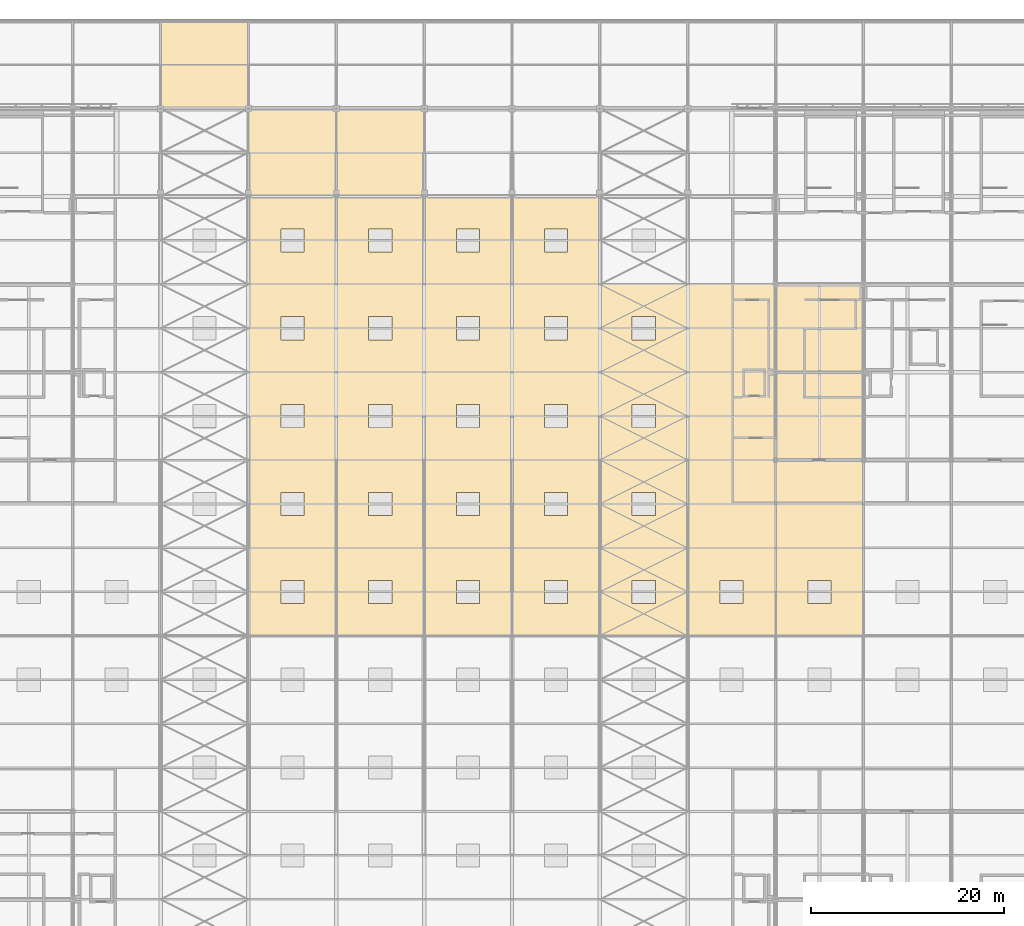
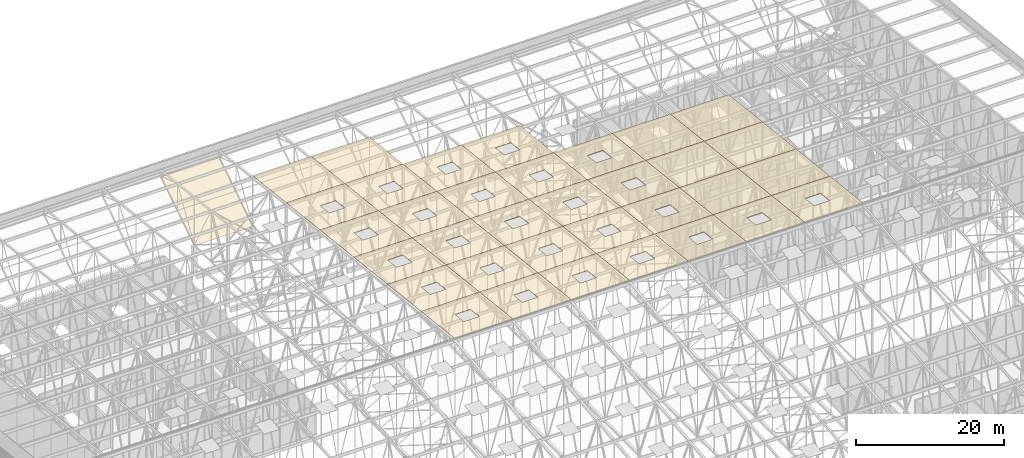
# One storey, part 479 of 500: 35 coverings.
"""IFC4 building model written with IfcOpenShell, lengths in metres."""

from ifc_helpers import new_model, si_unit, direction, frame, origin, place, context, subcontext, project, spatial, polyline, outline, extrude, material, layer, layer_set, type_object, element, save


model = new_model("IFC4")

# Units and contexts
model_context = context("Model", 3, precision=1e-05, world=origin(), true_north=direction((0.0, 1.0)))
body_context = subcontext(model_context, "Body", "Model", "MODEL_VIEW")
ifc_project = project(units=[si_unit("LENGTHUNIT", "METRE"), si_unit("AREAUNIT", "SQUARE_METRE"), si_unit("VOLUMEUNIT", "CUBIC_METRE"), si_unit("PLANEANGLEUNIT", "RADIAN"), si_unit("MASSUNIT", "GRAM", prefix="KILO")], contexts=[model_context])

# Site, building, storey
site_placement = place(None, origin())
site = spatial("IfcSite", under=ifc_project, at=site_placement, CompositionType="ELEMENT")
building_placement = place(site_placement, origin())
building = spatial("IfcBuilding", under=site, at=building_placement, Name="Shirokan Park Arena", CompositionType="ELEMENT")
storey_placement = place(building_placement, frame((0.0, 0.0, 29.1201171875)))
storey = spatial("IfcBuildingStorey", under=building, at=storey_placement, Name="L06", CompositionType="ELEMENT", Elevation=29.1201171875)

# Coverings
ifc_material_1 = material(Name="Bituminous roofing membrane")
ifc_layer_1 = layer(ifc_material_1, 0.010009765625, Name="Bituminous roofing membrane")
ifc_material_2 = material(Name="Mineral wool insulation")
ifc_layer_2 = layer(ifc_material_2, 0.050048828125, Name="Mineral wool insulation")
ifc_layer_set_1 = layer_set([ifc_layer_1, ifc_layer_2], Name="Bituminous roofing membrane + Mineral wool insulation")
covering_type_1 = type_object("IfcCoveringType", Name="Roofing membrane 60", PredefinedType="ROOFING", material=ifc_layer_set_1)
covering_1_placement = place(storey_placement, frame((54.60009765625, 54.60009765625, 19.170654296875), z_axis=(0.0, 0.113552605302, 0.993531985308), x_axis=(1.0, 0.0, 0.0)))
element("IfcCovering", 1, at=covering_1_placement, inside=storey, type_object=covering_type_1, Name="Roofing", PredefinedType="ROOFING", context=body_context, shape_type="SweptSolid", body=[
    extrude(outline(polyline([(0.0, 0.0), (9.099853515625, 0.0), (9.099853515625, 9.159094674549365), (0.0, 9.159094674549365), (0.0, 0.0)]), holes=[polyline([(5.75, 3.371655970585497), (5.75, 5.7874387039638675), (3.349853515625, 5.7874387039638675), (3.349853515625, 3.371655970585497), (5.75, 3.371655970585497)])]), origin(), (0.0, 0.0, -1.0), 0.06005859375),
])
covering_2_placement = place(storey_placement, frame((54.60009765625, 63.699951171875, 18.130615234375), z_axis=(0.0, 0.113549598152, 0.993532328996), x_axis=(1.0, 0.0, 0.0)))
element("IfcCovering", 2, at=covering_2_placement, inside=storey, type_object=covering_type_1, Name="Roofing", PredefinedType="ROOFING", context=body_context, shape_type="SweptSolid", body=[
    extrude(outline(polyline([(0.0, 0.0), (9.099853515625, 0.0), (9.099853515625, 9.15933723611117), (0.0, 9.15933723611117), (0.0, 0.0)]), holes=[polyline([(5.75, 3.371898532319491), (5.75, 5.787410981721818), (3.349853515625, 5.787410981721818), (3.349853515625, 3.371898532319491), (5.75, 3.371898532319491)])]), origin(), (0.0, 0.0, -1.0), 0.06005859375),
])
covering_3_placement = place(storey_placement, frame((54.60009765625, 72.800048828125, 17.090576171875), z_axis=(0.0, 0.113526293343, 0.993534992197), x_axis=(1.0, 0.0, 0.0)))
element("IfcCovering", 3, at=covering_3_placement, inside=storey, type_object=covering_type_1, Name="Roofing", PredefinedType="ROOFING", context=body_context, shape_type="SweptSolid", body=[
    extrude(outline(polyline([(0.0, 0.0), (9.099853515625, 0.0), (9.099853515625, 9.159066954957241), (0.0, 9.159066954957241), (0.0, 0.0)]), holes=[polyline([(5.75, 3.3716559706777867), (5.75, 5.787410984279455), (3.349853515625, 5.787410984279455), (3.349853515625, 3.3716559706777867), (5.75, 3.3716559706777867)])]), origin(), (0.0, 0.0, -1.0), 0.06005859375),
])
for number, where, z_axis, x_axis, name in (
    (4, (54.60009765625, 81.89990234375, 16.05078125), (0.0, 0.113549598152, 0.993532328996), (1.0, 0.0, 0.0), "Roofing"),
    (5, (54.60009765625, 91.0, 15.0107421875), (0.0, 0.113549598152, 0.993532328996), (1.0, 0.0, 0.0), "Roofing"),
):
    element("IfcCovering", number, at=place(storey_placement, frame(where, z_axis=z_axis, x_axis=x_axis)), inside=storey, type_object=covering_type_1, Name=name, PredefinedType="ROOFING", context=body_context, shape_type="SweptSolid", body=[
        extrude(outline(polyline([(0.0, 0.0), (9.099853515625, 0.0), (9.099853515625, 9.15933723611117), (0.0, 9.15933723611117), (0.0, 0.0)]), holes=[polyline([(5.75, 3.3719262543893525), (5.75, 5.787438703791679), (3.349853515625, 5.787438703791679), (3.349853515625, 3.3719262543893525), (5.75, 3.3719262543893525)])]), origin(), (0.0, 0.0, -1.0), 0.06005859375),
    ])
covering_4_placement = place(storey_placement, frame((54.60009765625, 100.10009765625, 13.970703125), z_axis=(0.0, 0.113552605302, 0.993531985308), x_axis=(1.0, 0.0, 0.0)))
element("IfcCovering", 6, at=covering_4_placement, inside=storey, type_object=covering_type_1, Name="Roofing", PredefinedType="ROOFING", context=body_context, shape_type="SweptSolid", body=[
    extrude(outline(polyline([(0.0, 0.0), (9.099853515625, 0.0), (9.099853515625, 9.159094674549365), (0.0, 9.159094674549365), (0.0, 0.0)])), origin(), (0.0, 0.0, -1.0), 0.06005859375),
])
covering_5_placement = place(storey_placement, frame((63.699951171875, 54.60009765625, 19.170654296875), z_axis=(0.0, 0.113552605302, 0.993531985308), x_axis=(1.0, 0.0, 0.0)))
element("IfcCovering", 7, at=covering_5_placement, inside=storey, type_object=covering_type_1, Name="Roofing", PredefinedType="ROOFING", context=body_context, shape_type="SweptSolid", body=[
    extrude(outline(polyline([(0.0, 0.0), (9.10009765625, 0.0), (9.10009765625, 9.159094674549367), (0.0, 9.159094674549367), (0.0, 0.0)]), holes=[polyline([(5.75, 3.3716559705854974), (5.75, 5.787438703963868), (3.35009765625, 5.787438703963868), (3.35009765625, 3.3716559705854974), (5.75, 3.3716559705854974)])]), origin(), (0.0, 0.0, -1.0), 0.06005859375),
])
covering_6_placement = place(storey_placement, frame((63.699951171875, 63.699951171875, 18.130615234375), z_axis=(0.0, 0.113549598152, 0.993532328996), x_axis=(1.0, 0.0, 0.0)))
element("IfcCovering", 8, at=covering_6_placement, inside=storey, type_object=covering_type_1, Name="Roofing", PredefinedType="ROOFING", context=body_context, shape_type="SweptSolid", body=[
    extrude(outline(polyline([(0.0, 0.0), (9.10009765625, 0.0), (9.10009765625, 9.15933723611117), (0.0, 9.15933723611117), (0.0, 0.0)]), holes=[polyline([(5.75, 3.3718985323194914), (5.75, 5.787410981721819), (3.35009765625, 5.787410981721819), (3.35009765625, 3.3718985323194914), (5.75, 3.3718985323194914)])]), origin(), (0.0, 0.0, -1.0), 0.06005859375),
])
covering_7_placement = place(storey_placement, frame((63.699951171875, 72.800048828125, 17.090576171875), z_axis=(0.0, 0.113526293343, 0.993534992197), x_axis=(1.0, 0.0, 0.0)))
element("IfcCovering", 9, at=covering_7_placement, inside=storey, type_object=covering_type_1, Name="Roofing", PredefinedType="ROOFING", context=body_context, shape_type="SweptSolid", body=[
    extrude(outline(polyline([(0.0, 0.0), (9.10009765625, 0.0), (9.10009765625, 9.159066954957241), (0.0, 9.159066954957241), (0.0, 0.0)]), holes=[polyline([(5.75, 3.371655970677786), (5.75, 5.787410984279454), (3.35009765625, 5.787410984279454), (3.35009765625, 3.371655970677786), (5.75, 3.371655970677786)])]), origin(), (0.0, 0.0, -1.0), 0.06005859375),
])
for number, where, z_axis, x_axis, name in (
    (10, (63.699951171875, 81.89990234375, 16.05078125), (0.0, 0.113549598152, 0.993532328996), (1.0, 0.0, 0.0), "Roofing"),
    (11, (63.699951171875, 91.0, 15.0107421875), (0.0, 0.113549598152, 0.993532328996), (1.0, 0.0, 0.0), "Roofing"),
):
    element("IfcCovering", number, at=place(storey_placement, frame(where, z_axis=z_axis, x_axis=x_axis)), inside=storey, type_object=covering_type_1, Name=name, PredefinedType="ROOFING", context=body_context, shape_type="SweptSolid", body=[
        extrude(outline(polyline([(0.0, 0.0), (9.10009765625, 0.0), (9.10009765625, 9.15933723611117), (0.0, 9.15933723611117), (0.0, 0.0)]), holes=[polyline([(5.75, 3.371926254389353), (5.75, 5.78743870379168), (3.35009765625, 5.78743870379168), (3.35009765625, 3.371926254389353), (5.75, 3.371926254389353)])]), origin(), (0.0, 0.0, -1.0), 0.06005859375),
    ])
covering_8_placement = place(storey_placement, frame((63.699951171875, 100.10009765625, 13.970703125), z_axis=(0.0, 0.113552605302, 0.993531985308), x_axis=(1.0, 0.0, 0.0)))
element("IfcCovering", 12, at=covering_8_placement, inside=storey, type_object=covering_type_1, Name="Roofing", PredefinedType="ROOFING", context=body_context, shape_type="SweptSolid", body=[
    extrude(outline(polyline([(0.0, 0.0), (9.10009765625, 0.0), (9.10009765625, 9.159094674549367), (0.0, 9.159094674549367), (0.0, 0.0)])), origin(), (0.0, 0.0, -1.0), 0.06005859375),
])
covering_9_placement = place(storey_placement, frame((72.800048828125, 54.60009765625, 19.170654296875), z_axis=(0.0, 0.113552605302, 0.993531985308), x_axis=(1.0, 0.0, 0.0)))
element("IfcCovering", 13, at=covering_9_placement, inside=storey, type_object=covering_type_1, Name="Roofing", PredefinedType="ROOFING", context=body_context, shape_type="SweptSolid", body=[
    extrude(outline(polyline([(0.0, 0.0), (9.099853515625, 0.0), (9.099853515625, 9.159094674549365), (0.0, 9.159094674549365), (0.0, 0.0)]), holes=[polyline([(5.75, 3.371655970585497), (5.75, 5.7874387039638675), (3.349853515625, 5.7874387039638675), (3.349853515625, 3.371655970585497), (5.75, 3.371655970585497)])]), origin(), (0.0, 0.0, -1.0), 0.06005859375),
])
covering_10_placement = place(storey_placement, frame((72.800048828125, 63.699951171875, 18.130615234375), z_axis=(0.0, 0.113549598152, 0.993532328996), x_axis=(1.0, 0.0, 0.0)))
element("IfcCovering", 14, at=covering_10_placement, inside=storey, type_object=covering_type_1, Name="Roofing", PredefinedType="ROOFING", context=body_context, shape_type="SweptSolid", body=[
    extrude(outline(polyline([(0.0, 0.0), (9.099853515625, 0.0), (9.099853515625, 9.15933723611117), (0.0, 9.15933723611117), (0.0, 0.0)]), holes=[polyline([(5.75, 3.371898532319491), (5.75, 5.787410981721818), (3.349853515625, 5.787410981721818), (3.349853515625, 3.371898532319491), (5.75, 3.371898532319491)])]), origin(), (0.0, 0.0, -1.0), 0.06005859375),
])
covering_11_placement = place(storey_placement, frame((72.800048828125, 72.800048828125, 17.090576171875), z_axis=(0.0, 0.113526293343, 0.993534992197), x_axis=(1.0, 0.0, 0.0)))
element("IfcCovering", 15, at=covering_11_placement, inside=storey, type_object=covering_type_1, Name="Roofing", PredefinedType="ROOFING", context=body_context, shape_type="SweptSolid", body=[
    extrude(outline(polyline([(0.0, 0.0), (9.099853515625, 0.0), (9.099853515625, 9.159066954957241), (0.0, 9.159066954957241), (0.0, 0.0)]), holes=[polyline([(5.75, 3.3716559706777867), (5.75, 5.787410984279455), (3.349853515625, 5.787410984279455), (3.349853515625, 3.3716559706777867), (5.75, 3.3716559706777867)])]), origin(), (0.0, 0.0, -1.0), 0.06005859375),
])
for number, where, z_axis, x_axis, name in (
    (16, (72.800048828125, 81.89990234375, 16.05078125), (0.0, 0.113549598152, 0.993532328996), (1.0, 0.0, 0.0), "Roofing"),
    (17, (72.800048828125, 91.0, 15.0107421875), (0.0, 0.113549598152, 0.993532328996), (1.0, 0.0, 0.0), "Roofing"),
):
    element("IfcCovering", number, at=place(storey_placement, frame(where, z_axis=z_axis, x_axis=x_axis)), inside=storey, type_object=covering_type_1, Name=name, PredefinedType="ROOFING", context=body_context, shape_type="SweptSolid", body=[
        extrude(outline(polyline([(0.0, 0.0), (9.099853515625, 0.0), (9.099853515625, 9.15933723611117), (0.0, 9.15933723611117), (0.0, 0.0)]), holes=[polyline([(5.75, 3.3719262543893525), (5.75, 5.787438703791679), (3.349853515625, 5.787438703791679), (3.349853515625, 3.3719262543893525), (5.75, 3.3719262543893525)])]), origin(), (0.0, 0.0, -1.0), 0.06005859375),
    ])
covering_12_placement = place(storey_placement, frame((81.89990234375, 54.60009765625, 19.170654296875), z_axis=(0.0, 0.113552605302, 0.993531985308), x_axis=(1.0, 0.0, 0.0)))
element("IfcCovering", 18, at=covering_12_placement, inside=storey, type_object=covering_type_1, Name="Roofing", PredefinedType="ROOFING", context=body_context, shape_type="SweptSolid", body=[
    extrude(outline(polyline([(0.0, 0.0), (9.10009765625, 0.0), (9.10009765625, 9.159094674549367), (0.0, 9.159094674549367), (0.0, 0.0)]), holes=[polyline([(5.75, 3.3716559705854974), (5.75, 5.787438703963868), (3.35009765625, 5.787438703963868), (3.35009765625, 3.3716559705854974), (5.75, 3.3716559705854974)])]), origin(), (0.0, 0.0, -1.0), 0.06005859375),
])
covering_13_placement = place(storey_placement, frame((81.89990234375, 63.699951171875, 18.130615234375), z_axis=(0.0, 0.113549598152, 0.993532328996), x_axis=(1.0, 0.0, 0.0)))
element("IfcCovering", 19, at=covering_13_placement, inside=storey, type_object=covering_type_1, Name="Roofing", PredefinedType="ROOFING", context=body_context, shape_type="SweptSolid", body=[
    extrude(outline(polyline([(0.0, 0.0), (9.10009765625, 0.0), (9.10009765625, 9.15933723611117), (0.0, 9.15933723611117), (0.0, 0.0)]), holes=[polyline([(5.75, 3.3718985323194914), (5.75, 5.787410981721819), (3.35009765625, 5.787410981721819), (3.35009765625, 3.3718985323194914), (5.75, 3.3718985323194914)])]), origin(), (0.0, 0.0, -1.0), 0.06005859375),
])
covering_14_placement = place(storey_placement, frame((81.89990234375, 72.800048828125, 17.090576171875), z_axis=(0.0, 0.113526293343, 0.993534992197), x_axis=(1.0, 0.0, 0.0)))
element("IfcCovering", 20, at=covering_14_placement, inside=storey, type_object=covering_type_1, Name="Roofing", PredefinedType="ROOFING", context=body_context, shape_type="SweptSolid", body=[
    extrude(outline(polyline([(0.0, 0.0), (9.10009765625, 0.0), (9.10009765625, 9.159066954957241), (0.0, 9.159066954957241), (0.0, 0.0)]), holes=[polyline([(5.75, 3.371655970677786), (5.75, 5.787410984279454), (3.35009765625, 5.787410984279454), (3.35009765625, 3.371655970677786), (5.75, 3.371655970677786)])]), origin(), (0.0, 0.0, -1.0), 0.06005859375),
])
for number, where, z_axis, x_axis, name in (
    (21, (81.89990234375, 81.89990234375, 16.05078125), (0.0, 0.113549598152, 0.993532328996), (1.0, 0.0, 0.0), "Roofing"),
    (22, (81.89990234375, 91.0, 15.0107421875), (0.0, 0.113549598152, 0.993532328996), (1.0, 0.0, 0.0), "Roofing"),
):
    element("IfcCovering", number, at=place(storey_placement, frame(where, z_axis=z_axis, x_axis=x_axis)), inside=storey, type_object=covering_type_1, Name=name, PredefinedType="ROOFING", context=body_context, shape_type="SweptSolid", body=[
        extrude(outline(polyline([(0.0, 0.0), (9.10009765625, 0.0), (9.10009765625, 9.15933723611117), (0.0, 9.15933723611117), (0.0, 0.0)]), holes=[polyline([(5.75, 3.371926254389353), (5.75, 5.78743870379168), (3.35009765625, 5.78743870379168), (3.35009765625, 3.371926254389353), (5.75, 3.371926254389353)])]), origin(), (0.0, 0.0, -1.0), 0.06005859375),
    ])
covering_15_placement = place(storey_placement, frame((91.0, 54.60009765625, 19.170654296875), z_axis=(0.0, 0.113552605302, 0.993531985308), x_axis=(1.0, 0.0, 0.0)))
element("IfcCovering", 23, at=covering_15_placement, inside=storey, type_object=covering_type_1, Name="Roofing", PredefinedType="ROOFING", context=body_context, shape_type="SweptSolid", body=[
    extrude(outline(polyline([(0.0, 0.0), (9.10009765625, 0.0), (9.10009765625, 9.159094674549367), (0.0, 9.159094674549367), (0.0, 0.0)]), holes=[polyline([(5.75, 3.3716559705854974), (5.75, 5.787438703963868), (3.35009765625, 5.787438703963868), (3.35009765625, 3.3716559705854974), (5.75, 3.3716559705854974)])]), origin(), (0.0, 0.0, -1.0), 0.06005859375),
])
covering_16_placement = place(storey_placement, frame((91.0, 63.699951171875, 18.130615234375), z_axis=(0.0, 0.113549598152, 0.993532328996), x_axis=(1.0, 0.0, 0.0)))
element("IfcCovering", 24, at=covering_16_placement, inside=storey, type_object=covering_type_1, Name="Roofing", PredefinedType="ROOFING", context=body_context, shape_type="SweptSolid", body=[
    extrude(outline(polyline([(0.0, 0.0), (9.10009765625, 0.0), (9.10009765625, 9.15933723611117), (0.0, 9.15933723611117), (0.0, 0.0)]), holes=[polyline([(5.75, 3.3718985323194914), (5.75, 5.787410981721819), (3.35009765625, 5.787410981721819), (3.35009765625, 3.3718985323194914), (5.75, 3.3718985323194914)])]), origin(), (0.0, 0.0, -1.0), 0.06005859375),
])
covering_17_placement = place(storey_placement, frame((91.0, 72.800048828125, 17.090576171875), z_axis=(0.0, 0.113526293343, 0.993534992197), x_axis=(1.0, 0.0, 0.0)))
element("IfcCovering", 25, at=covering_17_placement, inside=storey, type_object=covering_type_1, Name="Roofing", PredefinedType="ROOFING", context=body_context, shape_type="SweptSolid", body=[
    extrude(outline(polyline([(0.0, 0.0), (9.10009765625, 0.0), (9.10009765625, 9.159066954957241), (0.0, 9.159066954957241), (0.0, 0.0)]), holes=[polyline([(5.75, 3.371655970677786), (5.75, 5.787410984279454), (3.35009765625, 5.787410984279454), (3.35009765625, 3.371655970677786), (5.75, 3.371655970677786)])]), origin(), (0.0, 0.0, -1.0), 0.06005859375),
])
covering_18_placement = place(storey_placement, frame((91.0, 81.89990234375, 16.05078125), z_axis=(0.0, 0.113549598152, 0.993532328996), x_axis=(1.0, 0.0, 0.0)))
element("IfcCovering", 26, at=covering_18_placement, inside=storey, type_object=covering_type_1, Name="Roofing", PredefinedType="ROOFING", context=body_context, shape_type="SweptSolid", body=[
    extrude(outline(polyline([(0.0, 0.0), (9.10009765625, 0.0), (9.10009765625, 9.15933723611117), (0.0, 9.15933723611117), (0.0, 0.0)]), holes=[polyline([(5.75, 3.371926254389353), (5.75, 5.78743870379168), (3.35009765625, 5.78743870379168), (3.35009765625, 3.371926254389353), (5.75, 3.371926254389353)])]), origin(), (0.0, 0.0, -1.0), 0.06005859375),
])
covering_19_placement = place(storey_placement, frame((100.10009765625, 54.60009765625, 19.170654296875), z_axis=(0.0, 0.113552605302, 0.993531985308), x_axis=(1.0, 0.0, 0.0)))
element("IfcCovering", 27, at=covering_19_placement, inside=storey, type_object=covering_type_1, Name="Roofing", PredefinedType="ROOFING", context=body_context, shape_type="SweptSolid", body=[
    extrude(outline(polyline([(0.0, 0.0), (9.099853515625, 0.0), (9.099853515625, 9.159094674549365), (0.0, 9.159094674549365), (0.0, 0.0)]), holes=[polyline([(5.75, 3.371655970585497), (5.75, 5.7874387039638675), (3.349853515625, 5.7874387039638675), (3.349853515625, 3.371655970585497), (5.75, 3.371655970585497)])]), origin(), (0.0, 0.0, -1.0), 0.06005859375),
])
covering_20_placement = place(storey_placement, frame((100.10009765625, 63.699951171875, 18.130615234375), z_axis=(0.0, 0.113549598152, 0.993532328996), x_axis=(1.0, 0.0, 0.0)))
element("IfcCovering", 28, at=covering_20_placement, inside=storey, type_object=covering_type_1, Name="Roofing", PredefinedType="ROOFING", context=body_context, shape_type="SweptSolid", body=[
    extrude(outline(polyline([(0.0, 0.0), (9.099853515625, 0.0), (9.099853515625, 9.15933723611117), (0.0, 9.15933723611117), (0.0, 0.0)])), origin(), (0.0, 0.0, -1.0), 0.06005859375),
])
covering_21_placement = place(storey_placement, frame((100.10009765625, 72.800048828125, 17.090576171875), z_axis=(0.0, 0.113526293343, 0.993534992197), x_axis=(1.0, 0.0, 0.0)))
element("IfcCovering", 29, at=covering_21_placement, inside=storey, type_object=covering_type_1, Name="Roofing", PredefinedType="ROOFING", context=body_context, shape_type="SweptSolid", body=[
    extrude(outline(polyline([(0.0, 0.0), (9.099853515625, 0.0), (9.099853515625, 9.159066954957241), (0.0, 9.159066954957241), (0.0, 0.0)])), origin(), (0.0, 0.0, -1.0), 0.06005859375),
])
covering_22_placement = place(storey_placement, frame((100.10009765625, 81.89990234375, 16.05078125), z_axis=(0.0, 0.113549598152, 0.993532328996), x_axis=(1.0, 0.0, 0.0)))
element("IfcCovering", 30, at=covering_22_placement, inside=storey, type_object=covering_type_1, Name="Roofing", PredefinedType="ROOFING", context=body_context, shape_type="SweptSolid", body=[
    extrude(outline(polyline([(0.0, 0.0), (9.099853515625, 0.0), (9.099853515625, 9.15933723611117), (0.0, 9.15933723611117), (0.0, 0.0)])), origin(), (0.0, 0.0, -1.0), 0.06005859375),
])
covering_23_placement = place(storey_placement, frame((109.199951171875, 54.60009765625, 19.170654296875), z_axis=(0.0, 0.113552605302, 0.993531985308), x_axis=(1.0, 0.0, 0.0)))
element("IfcCovering", 31, at=covering_23_placement, inside=storey, type_object=covering_type_1, Name="Roofing", PredefinedType="ROOFING", context=body_context, shape_type="SweptSolid", body=[
    extrude(outline(polyline([(0.0, 0.0), (9.10009765625, 0.0), (9.10009765625, 9.159094674549367), (0.0, 9.159094674549367), (0.0, 0.0)]), holes=[polyline([(5.75, 3.3716559705854974), (5.75, 5.787438703963868), (3.35009765625, 5.787438703963868), (3.35009765625, 3.3716559705854974), (5.75, 3.3716559705854974)])]), origin(), (0.0, 0.0, -1.0), 0.06005859375),
])
covering_24_placement = place(storey_placement, frame((109.199951171875, 63.699951171875, 18.130615234375), z_axis=(0.0, 0.113549598152, 0.993532328996), x_axis=(1.0, 0.0, 0.0)))
element("IfcCovering", 32, at=covering_24_placement, inside=storey, type_object=covering_type_1, Name="Roofing", PredefinedType="ROOFING", context=body_context, shape_type="SweptSolid", body=[
    extrude(outline(polyline([(0.0, 0.0), (9.10009765625, 0.0), (9.10009765625, 9.15933723611117), (0.0, 9.15933723611117), (0.0, 0.0)])), origin(), (0.0, 0.0, -1.0), 0.06005859375),
])
covering_25_placement = place(storey_placement, frame((109.199951171875, 72.800048828125, 17.090576171875), z_axis=(0.0, 0.113526293343, 0.993534992197), x_axis=(1.0, 0.0, 0.0)))
element("IfcCovering", 33, at=covering_25_placement, inside=storey, type_object=covering_type_1, Name="Roofing", PredefinedType="ROOFING", context=body_context, shape_type="SweptSolid", body=[
    extrude(outline(polyline([(0.0, 0.0), (9.10009765625, 0.0), (9.10009765625, 9.159066954957241), (0.0, 9.159066954957241), (0.0, 0.0)])), origin(), (0.0, 0.0, -1.0), 0.06005859375),
])
covering_26_placement = place(storey_placement, frame((109.199951171875, 81.89990234375, 16.05078125), z_axis=(0.0, 0.113549598152, 0.993532328996), x_axis=(1.0, 0.0, 0.0)))
element("IfcCovering", 34, at=covering_26_placement, inside=storey, type_object=covering_type_1, Name="Roofing", PredefinedType="ROOFING", context=body_context, shape_type="SweptSolid", body=[
    extrude(outline(polyline([(0.0, 0.0), (9.10009765625, 0.0), (9.10009765625, 9.15933723611117), (0.0, 9.15933723611117), (0.0, 0.0)])), origin(), (0.0, 0.0, -1.0), 0.06005859375),
])
ifc_material_3 = material(Name="Timber soffit boards (cedar)", Category="wood")
ifc_layer_3 = layer(ifc_material_3, 0.030029296875)
ifc_layer_set_2 = layer_set([ifc_layer_3], Name="Timber soffit boards (cedar) 30 mm")
covering_type_2 = type_object("IfcCoveringType", Name="Timber boarded soffit panel", PredefinedType="CLADDING", material=ifc_layer_set_2)
covering_27_placement = place(storey_placement, origin())
element("IfcCovering", 35, at=covering_27_placement, inside=storey, type_object=covering_type_2, Name="Eave soffit north bay 6", PredefinedType="CLADDING", context=body_context, shape_type="SweptSolid", body=[
    extrude(outline(polyline([(0.0, 0.0), (0.14269332184793307, 0.0), (0.14269332184793307, -9.100000000000001), (0.0, -9.100000000000001), (0.0, 0.0)])), frame((54.60009765625, 109.320068359375, 4.60302734375), z_axis=(0.0, -0.541090493936, 0.840964373426), x_axis=(0.0, -0.840964373426, -0.541090493936)), (0.0, 0.0, -1.0), 0.030029296875),
    extrude(outline(polyline([(0.0, 0.0), (0.1426933218479331, 0.0), (0.1426933218479331, -9.100000000000003), (0.0, -9.100000000000003), (0.0, 0.0)])), frame((45.5, 118.179931640625, 10.3037109375), z_axis=(0.0, -0.541090493936, 0.840964373426), x_axis=(0.0, 0.840964373426, 0.541090493936)), (0.0, 0.0, -1.0), 0.030029296875),
    extrude(outline(polyline([(0.0, 0.0), (0.12000000000000455, 0.0), (0.12000000000000455, -10.535473996759716), (0.0, -10.535473996759716), (0.0, 0.0)])), frame((54.60009765625, 109.320068359375, 4.60302734375), z_axis=(0.0, -0.541084340558, 0.84096833258), x_axis=(-1.0, 0.0, 0.0)), (0.0, 0.0, -1.0), 0.030029296875),
    extrude(outline(polyline([(0.0, 0.0), (0.11999999999999744, 0.0), (0.11999999999999744, -10.53547399675972), (0.0, -10.53547399675972), (0.0, 0.0)])), frame((45.5, 118.179931640625, 10.3037109375), z_axis=(0.0, -0.541084340558, 0.84096833258), x_axis=(1.0, 0.0, 0.0)), (0.0, 0.0, -1.0), 0.030029296875),
    extrude(outline(polyline([(0.0, 0.0), (10.53547399675972, 0.0), (10.53547399675972, -0.1833300000000051), (0.0, -0.1833300000000051), (0.0, 0.0)])), frame((45.80322265625, 118.179931640625, 10.3037109375), z_axis=(0.0, -0.541084340558, 0.84096833258), x_axis=(0.0, -0.84096833258, -0.541084340558)), (0.0, 0.0, -1.0), 0.030029296875),
    extrude(outline(polyline([(0.0, 0.0), (10.535473996759718, 0.0), (10.535473996759718, -0.30333999999999856), (0.0, -0.30333999999999856), (0.0, 0.0)])), frame((46.106689453125, 118.179931640625, 10.3037109375), z_axis=(0.0, -0.541084340558, 0.84096833258), x_axis=(0.0, -0.84096833258, -0.541084340558)), (0.0, 0.0, -1.0), 0.030029296875),
    extrude(outline(polyline([(0.0, 0.0), (10.535473996759718, 0.0), (10.535473996759718, -0.30332999999999544), (0.0, -0.30332999999999544), (0.0, 0.0)])), frame((46.409912109375, 118.179931640625, 10.3037109375), z_axis=(0.0, -0.541084340558, 0.84096833258), x_axis=(0.0, -0.84096833258, -0.541084340558)), (0.0, 0.0, -1.0), 0.030029296875),
    extrude(outline(polyline([(0.0, 0.0), (10.535473996759718, 0.0), (10.535473996759718, -0.30333000000000254), (0.0, -0.30333000000000254), (0.0, 0.0)])), frame((46.71337890625, 118.179931640625, 10.3037109375), z_axis=(0.0, -0.541084340558, 0.84096833258), x_axis=(0.0, -0.84096833258, -0.541084340558)), (0.0, 0.0, -1.0), 0.030029296875),
    extrude(outline(polyline([(0.0, 0.0), (10.535473996759718, 0.0), (10.535473996759718, -0.3033399999999986), (0.0, -0.3033399999999986), (0.0, 0.0)])), frame((47.0166015625, 118.179931640625, 10.3037109375), z_axis=(0.0, -0.541084340558, 0.84096833258), x_axis=(0.0, -0.84096833258, -0.541084340558)), (0.0, 0.0, -1.0), 0.030029296875),
    extrude(outline(polyline([(0.0, 0.0), (10.535473996759718, 0.0), (10.535473996759718, -0.30333000000000254), (0.0, -0.30333000000000254), (0.0, 0.0)])), frame((47.320068359375, 118.179931640625, 10.3037109375), z_axis=(0.0, -0.541084340558, 0.84096833258), x_axis=(0.0, -0.84096833258, -0.541084340558)), (0.0, 0.0, -1.0), 0.030029296875),
    extrude(outline(polyline([(0.0, 0.0), (10.535473996759718, 0.0), (10.535473996759718, -0.30333000000000254), (0.0, -0.30333000000000254), (0.0, 0.0)])), frame((47.623291015625, 118.179931640625, 10.3037109375), z_axis=(0.0, -0.541084340558, 0.84096833258), x_axis=(0.0, -0.84096833258, -0.541084340558)), (0.0, 0.0, -1.0), 0.030029296875),
    extrude(outline(polyline([(0.0, 0.0), (10.535473996759718, 0.0), (10.535473996759718, -0.30333999999999856), (0.0, -0.30333999999999856), (0.0, 0.0)])), frame((47.9267578125, 118.179931640625, 10.3037109375), z_axis=(0.0, -0.541084340558, 0.84096833258), x_axis=(0.0, -0.84096833258, -0.541084340558)), (0.0, 0.0, -1.0), 0.030029296875),
    extrude(outline(polyline([(0.0, 0.0), (10.535473996759718, 0.0), (10.535473996759718, -0.30332999999999544), (0.0, -0.30332999999999544), (0.0, 0.0)])), frame((48.22998046875, 118.179931640625, 10.3037109375), z_axis=(0.0, -0.541084340558, 0.84096833258), x_axis=(0.0, -0.84096833258, -0.541084340558)), (0.0, 0.0, -1.0), 0.030029296875),
    extrude(outline(polyline([(0.0, 0.0), (10.535473996759718, 0.0), (10.535473996759718, -0.30333000000000254), (0.0, -0.30333000000000254), (0.0, 0.0)])), frame((48.533447265625, 118.179931640625, 10.3037109375), z_axis=(0.0, -0.541084340558, 0.84096833258), x_axis=(0.0, -0.84096833258, -0.541084340558)), (0.0, 0.0, -1.0), 0.030029296875),
    extrude(outline(polyline([(0.0, 0.0), (10.535473996759718, 0.0), (10.535473996759718, -0.3033399999999986), (0.0, -0.3033399999999986), (0.0, 0.0)])), frame((48.836669921875, 118.179931640625, 10.3037109375), z_axis=(0.0, -0.541084340558, 0.84096833258), x_axis=(0.0, -0.84096833258, -0.541084340558)), (0.0, 0.0, -1.0), 0.030029296875),
    extrude(outline(polyline([(0.0, 0.0), (10.535473996759718, 0.0), (10.535473996759718, -0.30333000000000254), (0.0, -0.30333000000000254), (0.0, 0.0)])), frame((49.139892578125, 118.179931640625, 10.3037109375), z_axis=(0.0, -0.541084340558, 0.84096833258), x_axis=(0.0, -0.84096833258, -0.541084340558)), (0.0, 0.0, -1.0), 0.030029296875),
    extrude(outline(polyline([(0.0, 0.0), (10.535473996759718, 0.0), (10.535473996759718, -0.30333000000000254), (0.0, -0.30333000000000254), (0.0, 0.0)])), frame((49.443359375, 118.179931640625, 10.3037109375), z_axis=(0.0, -0.541084340558, 0.84096833258), x_axis=(0.0, -0.84096833258, -0.541084340558)), (0.0, 0.0, -1.0), 0.030029296875),
    extrude(outline(polyline([(0.0, 0.0), (10.535473996759718, 0.0), (10.535473996759718, -0.30333999999999856), (0.0, -0.30333999999999856), (0.0, 0.0)])), frame((49.74658203125, 118.179931640625, 10.3037109375), z_axis=(0.0, -0.541084340558, 0.84096833258), x_axis=(0.0, -0.84096833258, -0.541084340558)), (0.0, 0.0, -1.0), 0.030029296875),
    extrude(outline(polyline([(0.0, 0.0), (10.535473996759718, 0.0), (10.535473996759718, -0.30332999999999544), (0.0, -0.30332999999999544), (0.0, 0.0)])), frame((50.050048828125, 118.179931640625, 10.3037109375), z_axis=(0.0, -0.541084340558, 0.84096833258), x_axis=(0.0, -0.84096833258, -0.541084340558)), (0.0, 0.0, -1.0), 0.030029296875),
    extrude(outline(polyline([(0.0, 0.0), (10.535473996759718, 0.0), (10.535473996759718, -0.30333000000000254), (0.0, -0.30333000000000254), (0.0, 0.0)])), frame((50.353271484375, 118.179931640625, 10.3037109375), z_axis=(0.0, -0.541084340558, 0.84096833258), x_axis=(0.0, -0.84096833258, -0.541084340558)), (0.0, 0.0, -1.0), 0.030029296875),
    extrude(outline(polyline([(0.0, 0.0), (10.535473996759718, 0.0), (10.535473996759718, -0.3033399999999986), (0.0, -0.3033399999999986), (0.0, 0.0)])), frame((50.65673828125, 118.179931640625, 10.3037109375), z_axis=(0.0, -0.541084340558, 0.84096833258), x_axis=(0.0, -0.84096833258, -0.541084340558)), (0.0, 0.0, -1.0), 0.030029296875),
    extrude(outline(polyline([(0.0, 0.0), (10.535473996759718, 0.0), (10.535473996759718, -0.30333000000000254), (0.0, -0.30333000000000254), (0.0, 0.0)])), frame((50.9599609375, 118.179931640625, 10.3037109375), z_axis=(0.0, -0.541084340558, 0.84096833258), x_axis=(0.0, -0.84096833258, -0.541084340558)), (0.0, 0.0, -1.0), 0.030029296875),
    extrude(outline(polyline([(0.0, 0.0), (10.535473996759718, 0.0), (10.535473996759718, -0.30333000000000254), (0.0, -0.30333000000000254), (0.0, 0.0)])), frame((51.263427734375, 118.179931640625, 10.3037109375), z_axis=(0.0, -0.541084340558, 0.84096833258), x_axis=(0.0, -0.84096833258, -0.541084340558)), (0.0, 0.0, -1.0), 0.030029296875),
    extrude(outline(polyline([(0.0, 0.0), (10.535473996759718, 0.0), (10.535473996759718, -0.3033399999999986), (0.0, -0.3033399999999986), (0.0, 0.0)])), frame((51.566650390625, 118.179931640625, 10.3037109375), z_axis=(0.0, -0.541084340558, 0.84096833258), x_axis=(0.0, -0.84096833258, -0.541084340558)), (0.0, 0.0, -1.0), 0.030029296875),
    extrude(outline(polyline([(0.0, 0.0), (10.535473996759718, 0.0), (10.535473996759718, -0.30332999999999544), (0.0, -0.30332999999999544), (0.0, 0.0)])), frame((51.8701171875, 118.179931640625, 10.3037109375), z_axis=(0.0, -0.541084340558, 0.84096833258), x_axis=(0.0, -0.84096833258, -0.541084340558)), (0.0, 0.0, -1.0), 0.030029296875),
    extrude(outline(polyline([(0.0, 0.0), (10.535473996759718, 0.0), (10.535473996759718, -0.30333000000000254), (0.0, -0.30333000000000254), (0.0, 0.0)])), frame((52.17333984375, 118.179931640625, 10.3037109375), z_axis=(0.0, -0.541084340558, 0.84096833258), x_axis=(0.0, -0.84096833258, -0.541084340558)), (0.0, 0.0, -1.0), 0.030029296875),
    extrude(outline(polyline([(0.0, 0.0), (10.535473996759718, 0.0), (10.535473996759718, -0.3033399999999986), (0.0, -0.3033399999999986), (0.0, 0.0)])), frame((52.4765625, 118.179931640625, 10.3037109375), z_axis=(0.0, -0.541084340558, 0.84096833258), x_axis=(0.0, -0.84096833258, -0.541084340558)), (0.0, 0.0, -1.0), 0.030029296875),
    extrude(outline(polyline([(0.0, 0.0), (10.535473996759718, 0.0), (10.535473996759718, -0.30333000000000254), (0.0, -0.30333000000000254), (0.0, 0.0)])), frame((52.780029296875, 118.179931640625, 10.3037109375), z_axis=(0.0, -0.541084340558, 0.84096833258), x_axis=(0.0, -0.84096833258, -0.541084340558)), (0.0, 0.0, -1.0), 0.030029296875),
    extrude(outline(polyline([(0.0, 0.0), (10.535473996759718, 0.0), (10.535473996759718, -0.30332999999999544), (0.0, -0.30332999999999544), (0.0, 0.0)])), frame((53.083251953125, 118.179931640625, 10.3037109375), z_axis=(0.0, -0.541084340558, 0.84096833258), x_axis=(0.0, -0.84096833258, -0.541084340558)), (0.0, 0.0, -1.0), 0.030029296875),
    extrude(outline(polyline([(0.0, 0.0), (10.535473996759718, 0.0), (10.535473996759718, -0.3033400000000057), (0.0, -0.3033400000000057), (0.0, 0.0)])), frame((53.38671875, 118.179931640625, 10.3037109375), z_axis=(0.0, -0.541084340558, 0.84096833258), x_axis=(0.0, -0.84096833258, -0.541084340558)), (0.0, 0.0, -1.0), 0.030029296875),
    extrude(outline(polyline([(0.0, 0.0), (10.535473996759718, 0.0), (10.535473996759718, -0.30332999999999544), (0.0, -0.30332999999999544), (0.0, 0.0)])), frame((53.68994140625, 118.179931640625, 10.3037109375), z_axis=(0.0, -0.541084340558, 0.84096833258), x_axis=(0.0, -0.84096833258, -0.541084340558)), (0.0, 0.0, -1.0), 0.030029296875),
    extrude(outline(polyline([(0.0, 0.0), (10.535473996759718, 0.0), (10.535473996759718, -0.30333000000000254), (0.0, -0.30333000000000254), (0.0, 0.0)])), frame((53.993408203125, 118.179931640625, 10.3037109375), z_axis=(0.0, -0.541084340558, 0.84096833258), x_axis=(0.0, -0.84096833258, -0.541084340558)), (0.0, 0.0, -1.0), 0.030029296875),
    extrude(outline(polyline([(0.0, 0.0), (10.535473996759718, 0.0), (10.535473996759718, -0.3033399999999986), (0.0, -0.3033399999999986), (0.0, 0.0)])), frame((54.296630859375, 118.179931640625, 10.3037109375), z_axis=(0.0, -0.541084340558, 0.84096833258), x_axis=(0.0, -0.84096833258, -0.541084340558)), (0.0, 0.0, -1.0), 0.030029296875),
    extrude(outline(polyline([(0.0, 0.0), (10.535473996759718, 0.0), (10.535473996759718, -0.183329999999998), (0.0, -0.183329999999998), (0.0, 0.0)])), frame((54.47998046875, 118.179931640625, 10.3037109375), z_axis=(0.0, -0.541084340558, 0.84096833258), x_axis=(0.0, -0.84096833258, -0.541084340558)), (0.0, 0.0, -1.0), 0.030029296875),
])

save(model, "model.ifc")
